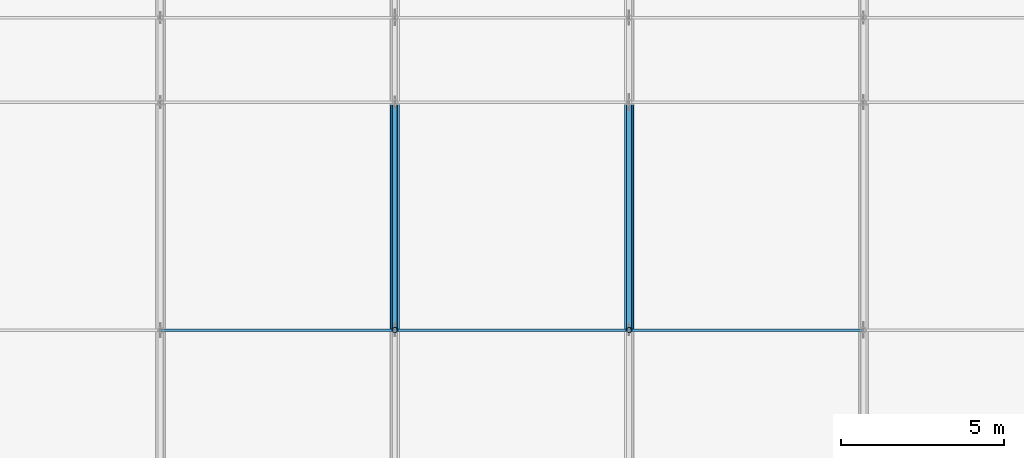
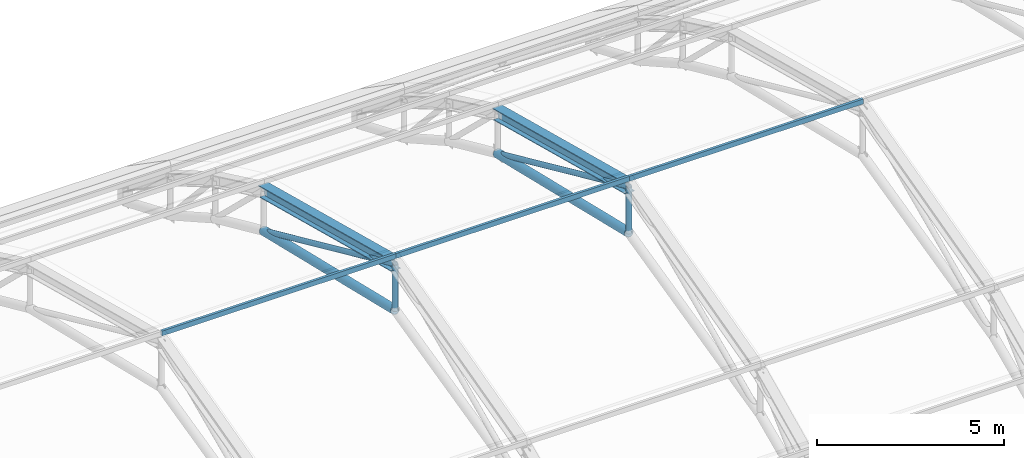
# One storey, part 12 of 63: 9 members, 2 beams.
"""IFC4 building model written with IfcOpenShell, lengths in metres."""

from ifc_helpers import new_model, si_unit, direction, frame, origin, origin_2d, place, context, subcontext, project, spatial, hollow_rectangle, hollow_circle, i_section, extrude, material, material_profile, profile_set, type_object, element, save


model = new_model("IFC4")

# Units and contexts
model_context = context("Model", 3, precision=1e-05, world=origin(), true_north=direction((0.0, 1.0)))
body_context = subcontext(model_context, "Body", "Model", "MODEL_VIEW")
ifc_project = project(units=[si_unit("LENGTHUNIT", "METRE"), si_unit("AREAUNIT", "SQUARE_METRE"), si_unit("VOLUMEUNIT", "CUBIC_METRE"), si_unit("PLANEANGLEUNIT", "RADIAN"), si_unit("MASSUNIT", "GRAM", prefix="KILO")], contexts=[model_context])

# Site, building, storey
site_placement = place(None, origin())
site = spatial("IfcSite", under=ifc_project, at=site_placement, CompositionType="ELEMENT")
building_placement = place(site_placement, origin())
building = spatial("IfcBuilding", under=site, at=building_placement, Name="Solvadek Multi-Sports Hall", CompositionType="ELEMENT")
storey_placement = place(building_placement, frame((0.0, 0.0, 19.199951171875)))
storey = spatial("IfcBuildingStorey", under=building, at=storey_placement, Name="RF", CompositionType="ELEMENT", Elevation=19.199951171875)

# Members
ifc_material_1 = material(Name="Steel E350 (350 MPa)", Category="steel")
ifc_material_profile_1 = material_profile(ifc_material_1, hollow_circle(Radius=0.084228515625, WallThickness=0.008056640625, at=origin_2d()), Name="CHS 168.3x8")
ifc_profile_set_1 = profile_set([ifc_material_profile_1], Name="Steel E350 (350 MPa)")
member_type_1 = type_object("IfcMemberType", Name="STR-BRC-CHS168", PredefinedType="BRACE", material=ifc_profile_set_1)
member_1_placement = place(storey_placement, frame((36.0, 63.60009765625, 0.400146484375), z_axis=(0.0, 0.0, 1.0), x_axis=(1.0, 0.0, 0.0)))
element("IfcMember", 1, at=member_1_placement, inside=storey, type_object=member_type_1, Name="v4 Truss 3 Web Vertical 4", PredefinedType="BRACE", context=body_context, shape_type="SweptSolid", body=[
    extrude(hollow_circle(Radius=0.084228515625, WallThickness=0.008056640625, at=origin_2d()), origin(), (0.0, 0.0, 1.0), 1.5),
])
member_2_placement = place(storey_placement, frame((36.0, 63.60009765625, 1.900146484375), z_axis=(0.0, 0.911080077549, -0.412229417064), x_axis=(-1.0, 0.0, 0.0)))
element("IfcMember", 2, at=member_2_placement, inside=storey, type_object=member_type_1, Name="v4 Truss 3 Web Diagonal 5", PredefinedType="BRACE", context=body_context, shape_type="SweptSolid", body=[
    extrude(hollow_circle(Radius=0.084228515625, WallThickness=0.008056640625, at=origin_2d()), origin(), (0.0, 0.0, 1.0), 7.68310546875),
])
member_3_placement = place(storey_placement, frame((43.199951171875, 63.60009765625, 0.400146484375), z_axis=(0.0, 0.0, 1.0), x_axis=(1.0, 0.0, 0.0)))
element("IfcMember", 3, at=member_3_placement, inside=storey, type_object=member_type_1, Name="v4 Truss 4 Web Vertical 4", PredefinedType="BRACE", context=body_context, shape_type="SweptSolid", body=[
    extrude(hollow_circle(Radius=0.084228515625, WallThickness=0.008056640625, at=origin_2d()), origin(), (0.0, 0.0, 1.0), 1.5),
])
member_4_placement = place(storey_placement, frame((43.199951171875, 63.60009765625, 1.900146484375), z_axis=(0.0, 0.911080077549, -0.412229417064), x_axis=(-1.0, 0.0, 0.0)))
element("IfcMember", 4, at=member_4_placement, inside=storey, type_object=member_type_1, Name="v4 Truss 4 Web Diagonal 5", PredefinedType="BRACE", context=body_context, shape_type="SweptSolid", body=[
    extrude(hollow_circle(Radius=0.084228515625, WallThickness=0.008056640625, at=origin_2d()), origin(), (0.0, 0.0, 1.0), 7.68310546875),
])
ifc_material_profile_2 = material_profile(ifc_material_1, hollow_circle(Radius=0.136474609375, WallThickness=0.011962890625, at=origin_2d()), Name="CHS 273.0x12")
ifc_profile_set_2 = profile_set([ifc_material_profile_2], Name="Steel E350 (350 MPa)")
member_type_2 = type_object("IfcMemberType", Name="STR-CHD-CHS273", PredefinedType="CHORD", material=ifc_profile_set_2)
for number, where, z_axis, x_axis, name in (
    (5, (36.0, 63.60009765625, 0.400146484375), (0.0, 0.972788374031, -0.231695445252), (-1.0, 0.0, 0.0), "v4 Arched Truss 3 Bottom Chord 5"),
    (6, (43.199951171875, 63.60009765625, 0.400146484375), (0.0, 0.972788374031, -0.231695445252), (-1.0, 0.0, 0.0), "v4 Arched Truss 4 Bottom Chord 5"),
):
    element("IfcMember", number, at=place(storey_placement, frame(where, z_axis=z_axis, x_axis=x_axis)), inside=storey, type_object=member_type_2, Name=name, PredefinedType="CHORD", context=body_context, shape_type="SweptSolid", body=[
        extrude(hollow_circle(Radius=0.136474609375, WallThickness=0.011962890625, at=origin_2d()), origin(), (0.0, 0.0, 1.0), 7.19580078125),
    ])
ifc_material_2 = material(Name="Steel E250 (250 MPa)", Category="steel")
ifc_material_profile_3 = material_profile(ifc_material_2, hollow_rectangle(XDim=0.080078125, YDim=0.159912109375, WallThickness=0.006103515625, at=origin_2d()), Name="RHS 160x80x6")
ifc_profile_set_3 = profile_set([ifc_material_profile_3], Name="Steel E250 (250 MPa)")
member_type_3 = type_object("IfcMemberType", Name="STR-PUR-RHS160", PredefinedType="PURLIN", material=ifc_profile_set_3)
for number, where, z_axis, x_axis, name in (
    (7, (28.800048828125, 63.60009765625, 2.170166015625), (1.0, 0.0, 0.0), (0.0, 1.0, 0.0), "V4 Roof Purlin #77"),
    (8, (36.0, 63.60009765625, 2.170166015625), (1.0, 0.0, 0.0), (0.0, 1.0, 0.0), "V4 Roof Purlin #86"),
    (9, (43.199951171875, 63.60009765625, 2.170166015625), (1.0, 0.0, 0.0), (0.0, 1.0, 0.0), "V4 Roof Purlin #95"),
):
    element("IfcMember", number, at=place(storey_placement, frame(where, z_axis=z_axis, x_axis=x_axis)), inside=storey, type_object=member_type_3, Name=name, PredefinedType="PURLIN", context=body_context, shape_type="SweptSolid", body=[
        extrude(hollow_rectangle(XDim=0.080078125, YDim=0.159912109375, WallThickness=0.006103515625, at=origin_2d()), origin(), (0.0, 0.0, 1.0), 7.199951171875),
    ])

# Beams
ifc_material_profile_4 = material_profile(ifc_material_1, i_section(OverallWidth=0.300048828125, OverallDepth=0.360107421875, WebThickness=0.012451171875, FlangeThickness=0.0224609375, at=origin_2d()), Name="WPB 360")
ifc_profile_set_4 = profile_set([ifc_material_profile_4], Name="Steel E350 (350 MPa)")
beam_type = type_object("IfcBeamType", Name="STR-TRS-WPB360", PredefinedType="USERDEFINED", material=ifc_profile_set_4)
for number, where, z_axis, x_axis, name in (
    (10, (36.0, 63.60009765625, 1.900146484375), (0.0, 0.967234279075, -0.253885504475), (-1.0, 0.0, 0.0), "v4 Arched Truss 3 Top Chord 5"),
    (11, (43.199951171875, 63.60009765625, 1.900146484375), (0.0, 0.967234279075, -0.253885504475), (-1.0, 0.0, 0.0), "v4 Arched Truss 4 Top Chord 5"),
):
    element("IfcBeam", number, at=place(storey_placement, frame(where, z_axis=z_axis, x_axis=x_axis)), inside=storey, type_object=beam_type, Name=name, ObjectType="ROOF TRUSS", PredefinedType="USERDEFINED", context=body_context, shape_type="SweptSolid", body=[
        extrude(i_section(OverallWidth=0.300048828125, OverallDepth=0.360107421875, WebThickness=0.012451171875, FlangeThickness=0.0224609375, at=origin_2d()), origin(), (0.0, 0.0, 1.0), 7.237060546875),
    ])

save(model, "model.ifc")
